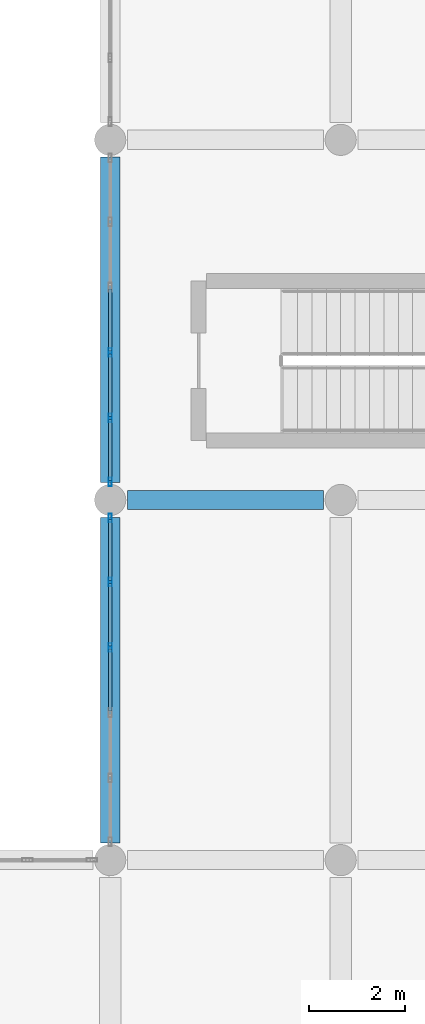
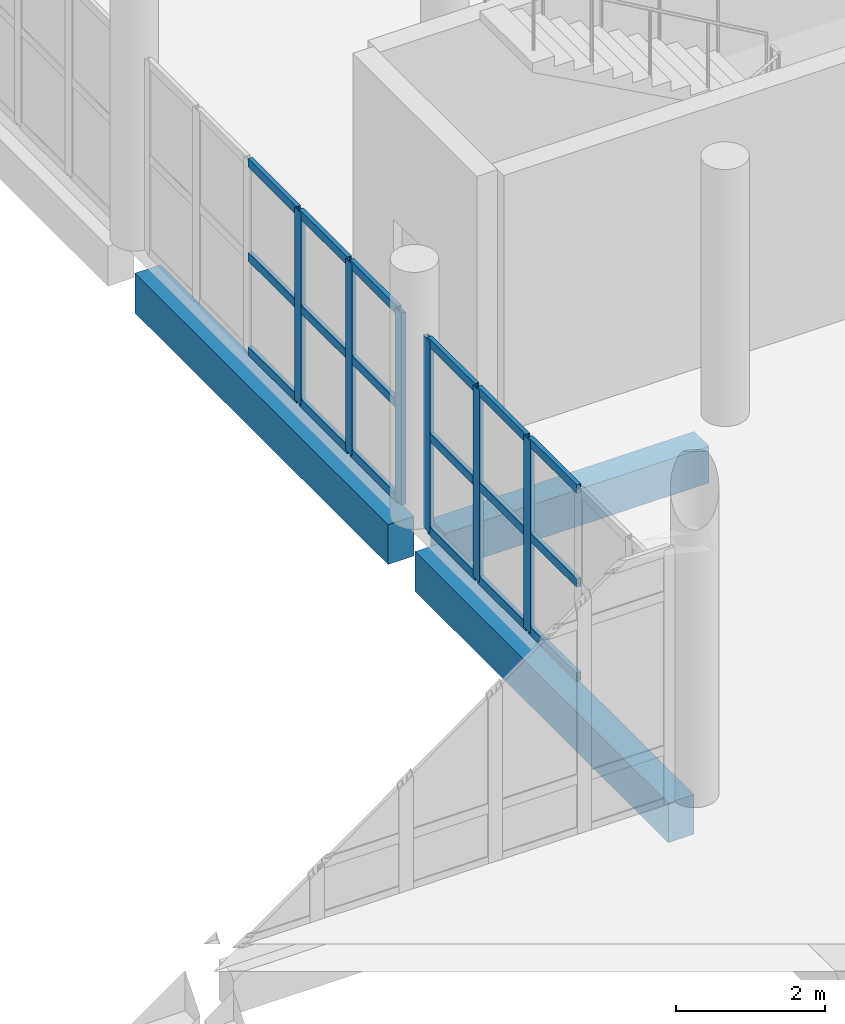
# One storey, part 52 of 164: 24 members, 3 beams, 2 elements without a shape of their own.
"""IFC4 building model written with IfcOpenShell, lengths in metres."""

from ifc_helpers import new_model, si_unit, direction, frame, origin, origin_2d, place, context, subcontext, project, spatial, rectangle, hollow_rectangle, extrude, material, layer, layer_set, material_profile, profile_set, type_object, element, aggregate, save


model = new_model("IFC4")

# Units and contexts
model_context = context("Model", 3, precision=1e-05, world=origin(), true_north=direction((0.0, 1.0)))
body_context = subcontext(model_context, "Body", "Model", "MODEL_VIEW")
ifc_project = project(units=[si_unit("LENGTHUNIT", "METRE"), si_unit("AREAUNIT", "SQUARE_METRE"), si_unit("VOLUMEUNIT", "CUBIC_METRE"), si_unit("PLANEANGLEUNIT", "RADIAN"), si_unit("MASSUNIT", "GRAM", prefix="KILO")], contexts=[model_context])

# Site, building, storey
site_placement = place(None, origin())
site = spatial("IfcSite", under=ifc_project, at=site_placement, CompositionType="ELEMENT")
building_placement = place(site_placement, origin())
building = spatial("IfcBuilding", under=site, at=building_placement, Name="Mawjan Specialist Oncology Clinic", CompositionType="ELEMENT")
storey_placement = place(building_placement, frame((0.0, 0.0, 5.0)))
storey = spatial("IfcBuildingStorey", under=building, at=storey_placement, Name="L01", CompositionType="ELEMENT", Elevation=5.0)

# Beam
ifc_material_1 = material(Name="Concrete C40/50", Category="concrete")
ifc_material_profile_1 = material_profile(ifc_material_1, rectangle(XDim=0.39990234375, YDim=0.60009765625, at=origin_2d()), Name="RC BM 400x600", Category="concrete")
ifc_profile_set_1 = profile_set([ifc_material_profile_1], Name="Concrete C40/50")
beam_type_1 = type_object("IfcBeamType", Name="BM-400x600", PredefinedType="BEAM", material=ifc_profile_set_1)
beam_placement = place(storey_placement, frame((60.360107421875, 60.800048828125, -0.60009765625), z_axis=(1.0, 0.0, 0.0), x_axis=(0.0, 1.0, 0.0)))
element("IfcBeam", 1, at=beam_placement, inside=storey, type_object=beam_type_1, Name="L01 Collector Beam BM-L01-0297", PredefinedType="BEAM", context=body_context, shape_type="SweptSolid", body=[
    extrude(rectangle(XDim=0.39990234375, YDim=0.60009765625, at=origin_2d()), origin(), (0.0, 0.0, 1.0), 4.079833984375),
])

# Curtain wall, members
ifc_material_2 = material(Name="Unitised spectrally selective aluminium curtain wall", Category="aluminium")
ifc_layer = layer(ifc_material_2, 0.179931640625, Name="Unitised spectrally selective aluminium curtain wall", Category="aluminium")
ifc_layer_set = layer_set([ifc_layer], Name="Unitised spectrally selective aluminium curtain wall")
curtain_wall_type = type_object("IfcCurtainWallType", Name="CW-55", PredefinedType="NOTDEFINED", material=ifc_layer_set)
curtain_wall_1_placement = place(storey_placement, origin())
curtain_wall_1 = element("IfcCurtainWall", 2, at=curtain_wall_1_placement, inside=storey, type_object=curtain_wall_type, Name="L01 Unitised Curtain Wall CW-L01-100", PredefinedType="NOTDEFINED")
ifc_material_3 = material(Name="Thermally broken aluminium 6063-T6", Category="aluminium")
ifc_material_profile_2 = material_profile(ifc_material_3, hollow_rectangle(XDim=0.06494140625, YDim=0.179931640625, WallThickness=0.00390625, at=origin_2d()), Name="ALU MULLION 180x65x4", Category="aluminium")
ifc_profile_set_2 = profile_set([ifc_material_profile_2], Name="Thermally broken aluminium 6063-T6")
member_type_1 = type_object("IfcMemberType", Name="CW-M180", PredefinedType="MULLION", material=ifc_profile_set_2)
member_1_placement = place(storey_placement, frame((60.0, 57.73095703125, 0.0), z_axis=(0.0, 0.0, 1.0), x_axis=(-1.0, 0.0, 0.0)))
member_1 = element("IfcMember", 3, at=member_1_placement, type_object=member_type_1, Name="CW-55 mullion 4", PredefinedType="MULLION", context=body_context, shape_type="SweptSolid", body=[
    extrude(hollow_rectangle(XDim=0.06494140625, YDim=0.179931640625, WallThickness=0.00390625, at=origin_2d()), origin(), (0.0, 0.0, 1.0), 3.139892578125),
])
member_2_placement = place(storey_placement, frame((60.0, 59.093017578125, 0.0), z_axis=(0.0, 0.0, 1.0), x_axis=(-1.0, 0.0, 0.0)))
member_2 = element("IfcMember", 4, at=member_2_placement, type_object=member_type_1, Name="CW-55 mullion 5", PredefinedType="MULLION", context=body_context, shape_type="SweptSolid", body=[
    extrude(hollow_rectangle(XDim=0.06494140625, YDim=0.179931640625, WallThickness=0.00390625, at=origin_2d()), origin(), (0.0, 0.0, 1.0), 3.139892578125),
])
member_3_placement = place(storey_placement, frame((60.0, 60.422607421875, 0.0), z_axis=(0.0, 0.0, 1.0), x_axis=(-1.0, 0.0, 0.0)))
member_3 = element("IfcMember", 5, at=member_3_placement, type_object=member_type_1, Name="CW-55 mullion 6", PredefinedType="MULLION", context=body_context, shape_type="SweptSolid", body=[
    extrude(hollow_rectangle(XDim=0.06494140625, YDim=0.179931640625, WallThickness=0.00390625, at=origin_2d()), origin(), (0.0, 0.0, 1.0), 3.139892578125),
])

curtain_wall_2_placement = place(storey_placement, origin())
curtain_wall_2 = element("IfcCurtainWall", 6, at=curtain_wall_2_placement, inside=storey, type_object=curtain_wall_type, Name="L01 Unitised Curtain Wall CW-L01-101", PredefinedType="NOTDEFINED")
member_4_placement = place(storey_placement, frame((60.0, 61.177490234375, 0.0), z_axis=(0.0, 0.0, 1.0), x_axis=(-1.0, 0.0, 0.0)))
member_4 = element("IfcMember", 7, at=member_4_placement, type_object=member_type_1, Name="CW-55 mullion 1", PredefinedType="MULLION", context=body_context, shape_type="SweptSolid", body=[
    extrude(hollow_rectangle(XDim=0.06494140625, YDim=0.179931640625, WallThickness=0.00390625, at=origin_2d()), origin(), (0.0, 0.0, 1.0), 3.139892578125),
])
member_5_placement = place(storey_placement, frame((60.0, 62.507080078125, 0.0), z_axis=(0.0, 0.0, 1.0), x_axis=(-1.0, 0.0, 0.0)))
member_5 = element("IfcMember", 8, at=member_5_placement, type_object=member_type_1, Name="CW-55 mullion 2", PredefinedType="MULLION", context=body_context, shape_type="SweptSolid", body=[
    extrude(hollow_rectangle(XDim=0.06494140625, YDim=0.179931640625, WallThickness=0.00390625, at=origin_2d()), origin(), (0.0, 0.0, 1.0), 3.139892578125),
])
member_6_placement = place(storey_placement, frame((60.0, 63.868896484375, 0.0), z_axis=(0.0, 0.0, 1.0), x_axis=(-1.0, 0.0, 0.0)))
member_6 = element("IfcMember", 9, at=member_6_placement, type_object=member_type_1, Name="CW-55 mullion 3", PredefinedType="MULLION", context=body_context, shape_type="SweptSolid", body=[
    extrude(hollow_rectangle(XDim=0.06494140625, YDim=0.179931640625, WallThickness=0.00390625, at=origin_2d()), origin(), (0.0, 0.0, 1.0), 3.139892578125),
])

# Member
ifc_material_4 = material(Name="Thermally broken aluminium 6063-T6", Category="aluminium")
ifc_material_profile_3 = material_profile(ifc_material_4, hollow_rectangle(XDim=0.06494140625, YDim=0.139892578125, WallThickness=0.00390625, at=origin_2d()), Name="ALU TRANSOM 140x65x4", Category="aluminium")
ifc_profile_set_3 = profile_set([ifc_material_profile_3], Name="Thermally broken aluminium 6063-T6")
member_type_2 = type_object("IfcMemberType", Name="CW-T140", PredefinedType="USERDEFINED", material=ifc_profile_set_3)
member_7_placement = place(storey_placement, frame((60.0, 56.401611328125, 0.032470703125), z_axis=(0.0, 1.0, 0.0), x_axis=(-1.0, 0.0, 0.0)))
member_7 = element("IfcMember", 10, at=member_7_placement, type_object=member_type_2, Name="CW-55 transom 3.1", ObjectType="TRANSOM", PredefinedType="USERDEFINED", context=body_context, shape_type="SweptSolid", body=[
    extrude(hollow_rectangle(XDim=0.06494140625, YDim=0.139892578125, WallThickness=0.00390625, at=origin_2d()), origin(), (0.0, 0.0, 1.0), 1.296875),
])

member_8_placement = place(storey_placement, frame((60.0, 56.401611328125, 1.570068359375), z_axis=(0.0, 1.0, 0.0), x_axis=(-1.0, 0.0, 0.0)))
member_8 = element("IfcMember", 11, at=member_8_placement, type_object=member_type_2, Name="CW-55 transom 3.2", ObjectType="TRANSOM", PredefinedType="USERDEFINED", context=body_context, shape_type="SweptSolid", body=[
    extrude(hollow_rectangle(XDim=0.06494140625, YDim=0.139892578125, WallThickness=0.00390625, at=origin_2d()), origin(), (0.0, 0.0, 1.0), 1.296875),
])

member_9_placement = place(storey_placement, frame((60.0, 56.401611328125, 3.107421875), z_axis=(0.0, 1.0, 0.0), x_axis=(-1.0, 0.0, 0.0)))
member_9 = element("IfcMember", 12, at=member_9_placement, type_object=member_type_2, Name="CW-55 transom 3.3", ObjectType="TRANSOM", PredefinedType="USERDEFINED", context=body_context, shape_type="SweptSolid", body=[
    extrude(hollow_rectangle(XDim=0.06494140625, YDim=0.139892578125, WallThickness=0.00390625, at=origin_2d()), origin(), (0.0, 0.0, 1.0), 1.296875),
])

member_10_placement = place(storey_placement, frame((60.0, 57.763427734375, 0.032470703125), z_axis=(0.0, 1.0, 0.0), x_axis=(-1.0, 0.0, 0.0)))
member_10 = element("IfcMember", 13, at=member_10_placement, type_object=member_type_2, Name="CW-55 transom 4.1", ObjectType="TRANSOM", PredefinedType="USERDEFINED", context=body_context, shape_type="SweptSolid", body=[
    extrude(hollow_rectangle(XDim=0.06494140625, YDim=0.139892578125, WallThickness=0.00390625, at=origin_2d()), origin(), (0.0, 0.0, 1.0), 1.297119140625),
])

member_11_placement = place(storey_placement, frame((60.0, 57.763427734375, 1.570068359375), z_axis=(0.0, 1.0, 0.0), x_axis=(-1.0, 0.0, 0.0)))
member_11 = element("IfcMember", 14, at=member_11_placement, type_object=member_type_2, Name="CW-55 transom 4.2", ObjectType="TRANSOM", PredefinedType="USERDEFINED", context=body_context, shape_type="SweptSolid", body=[
    extrude(hollow_rectangle(XDim=0.06494140625, YDim=0.139892578125, WallThickness=0.00390625, at=origin_2d()), origin(), (0.0, 0.0, 1.0), 1.297119140625),
])

member_12_placement = place(storey_placement, frame((60.0, 57.763427734375, 3.107421875), z_axis=(0.0, 1.0, 0.0), x_axis=(-1.0, 0.0, 0.0)))
member_12 = element("IfcMember", 15, at=member_12_placement, type_object=member_type_2, Name="CW-55 transom 4.3", ObjectType="TRANSOM", PredefinedType="USERDEFINED", context=body_context, shape_type="SweptSolid", body=[
    extrude(hollow_rectangle(XDim=0.06494140625, YDim=0.139892578125, WallThickness=0.00390625, at=origin_2d()), origin(), (0.0, 0.0, 1.0), 1.297119140625),
])

member_13_placement = place(storey_placement, frame((60.0, 59.12548828125, 0.032470703125), z_axis=(0.0, 1.0, 0.0), x_axis=(-1.0, 0.0, 0.0)))
member_13 = element("IfcMember", 16, at=member_13_placement, type_object=member_type_2, Name="CW-55 transom 5.1", ObjectType="TRANSOM", PredefinedType="USERDEFINED", context=body_context, shape_type="SweptSolid", body=[
    extrude(hollow_rectangle(XDim=0.06494140625, YDim=0.139892578125, WallThickness=0.00390625, at=origin_2d()), origin(), (0.0, 0.0, 1.0), 1.264404296875),
])

member_14_placement = place(storey_placement, frame((60.0, 59.12548828125, 1.570068359375), z_axis=(0.0, 1.0, 0.0), x_axis=(-1.0, 0.0, 0.0)))
member_14 = element("IfcMember", 17, at=member_14_placement, type_object=member_type_2, Name="CW-55 transom 5.2", ObjectType="TRANSOM", PredefinedType="USERDEFINED", context=body_context, shape_type="SweptSolid", body=[
    extrude(hollow_rectangle(XDim=0.06494140625, YDim=0.139892578125, WallThickness=0.00390625, at=origin_2d()), origin(), (0.0, 0.0, 1.0), 1.264404296875),
])

member_15_placement = place(storey_placement, frame((60.0, 59.12548828125, 3.107421875), z_axis=(0.0, 1.0, 0.0), x_axis=(-1.0, 0.0, 0.0)))
member_15 = element("IfcMember", 18, at=member_15_placement, type_object=member_type_2, Name="CW-55 transom 5.3", ObjectType="TRANSOM", PredefinedType="USERDEFINED", context=body_context, shape_type="SweptSolid", body=[
    extrude(hollow_rectangle(XDim=0.06494140625, YDim=0.139892578125, WallThickness=0.00390625, at=origin_2d()), origin(), (0.0, 0.0, 1.0), 1.264404296875),
])

aggregate(curtain_wall_1, [member_1, member_2, member_3, member_7, member_8, member_9, member_10, member_11, member_12, member_13, member_14, member_15])

member_16_placement = place(storey_placement, frame((60.0, 61.2099609375, 0.032470703125), z_axis=(0.0, 1.0, 0.0), x_axis=(-1.0, 0.0, 0.0)))
member_16 = element("IfcMember", 19, at=member_16_placement, type_object=member_type_2, Name="CW-55 transom 1.1", ObjectType="TRANSOM", PredefinedType="USERDEFINED", context=body_context, shape_type="SweptSolid", body=[
    extrude(hollow_rectangle(XDim=0.06494140625, YDim=0.139892578125, WallThickness=0.00390625, at=origin_2d()), origin(), (0.0, 0.0, 1.0), 1.2646484375),
])

member_17_placement = place(storey_placement, frame((60.0, 61.2099609375, 1.570068359375), z_axis=(0.0, 1.0, 0.0), x_axis=(-1.0, 0.0, 0.0)))
member_17 = element("IfcMember", 20, at=member_17_placement, type_object=member_type_2, Name="CW-55 transom 1.2", ObjectType="TRANSOM", PredefinedType="USERDEFINED", context=body_context, shape_type="SweptSolid", body=[
    extrude(hollow_rectangle(XDim=0.06494140625, YDim=0.139892578125, WallThickness=0.00390625, at=origin_2d()), origin(), (0.0, 0.0, 1.0), 1.2646484375),
])

member_18_placement = place(storey_placement, frame((60.0, 61.2099609375, 3.107421875), z_axis=(0.0, 1.0, 0.0), x_axis=(-1.0, 0.0, 0.0)))
member_18 = element("IfcMember", 21, at=member_18_placement, type_object=member_type_2, Name="CW-55 transom 1.3", ObjectType="TRANSOM", PredefinedType="USERDEFINED", context=body_context, shape_type="SweptSolid", body=[
    extrude(hollow_rectangle(XDim=0.06494140625, YDim=0.139892578125, WallThickness=0.00390625, at=origin_2d()), origin(), (0.0, 0.0, 1.0), 1.2646484375),
])

member_19_placement = place(storey_placement, frame((60.0, 62.53955078125, 0.032470703125), z_axis=(0.0, 1.0, 0.0), x_axis=(-1.0, 0.0, 0.0)))
member_19 = element("IfcMember", 22, at=member_19_placement, type_object=member_type_2, Name="CW-55 transom 2.1", ObjectType="TRANSOM", PredefinedType="USERDEFINED", context=body_context, shape_type="SweptSolid", body=[
    extrude(hollow_rectangle(XDim=0.06494140625, YDim=0.139892578125, WallThickness=0.00390625, at=origin_2d()), origin(), (0.0, 0.0, 1.0), 1.296875),
])

member_20_placement = place(storey_placement, frame((60.0, 62.53955078125, 1.570068359375), z_axis=(0.0, 1.0, 0.0), x_axis=(-1.0, 0.0, 0.0)))
member_20 = element("IfcMember", 23, at=member_20_placement, type_object=member_type_2, Name="CW-55 transom 2.2", ObjectType="TRANSOM", PredefinedType="USERDEFINED", context=body_context, shape_type="SweptSolid", body=[
    extrude(hollow_rectangle(XDim=0.06494140625, YDim=0.139892578125, WallThickness=0.00390625, at=origin_2d()), origin(), (0.0, 0.0, 1.0), 1.296875),
])

member_21_placement = place(storey_placement, frame((60.0, 62.53955078125, 3.107421875), z_axis=(0.0, 1.0, 0.0), x_axis=(-1.0, 0.0, 0.0)))
member_21 = element("IfcMember", 24, at=member_21_placement, type_object=member_type_2, Name="CW-55 transom 2.3", ObjectType="TRANSOM", PredefinedType="USERDEFINED", context=body_context, shape_type="SweptSolid", body=[
    extrude(hollow_rectangle(XDim=0.06494140625, YDim=0.139892578125, WallThickness=0.00390625, at=origin_2d()), origin(), (0.0, 0.0, 1.0), 1.296875),
])

member_22_placement = place(storey_placement, frame((60.0, 63.901611328125, 0.032470703125), z_axis=(0.0, 1.0, 0.0), x_axis=(-1.0, 0.0, 0.0)))
member_22 = element("IfcMember", 25, at=member_22_placement, type_object=member_type_2, Name="CW-55 transom 3.1", ObjectType="TRANSOM", PredefinedType="USERDEFINED", context=body_context, shape_type="SweptSolid", body=[
    extrude(hollow_rectangle(XDim=0.06494140625, YDim=0.139892578125, WallThickness=0.00390625, at=origin_2d()), origin(), (0.0, 0.0, 1.0), 1.296875),
])

member_23_placement = place(storey_placement, frame((60.0, 63.901611328125, 1.570068359375), z_axis=(0.0, 1.0, 0.0), x_axis=(-1.0, 0.0, 0.0)))
member_23 = element("IfcMember", 26, at=member_23_placement, type_object=member_type_2, Name="CW-55 transom 3.2", ObjectType="TRANSOM", PredefinedType="USERDEFINED", context=body_context, shape_type="SweptSolid", body=[
    extrude(hollow_rectangle(XDim=0.06494140625, YDim=0.139892578125, WallThickness=0.00390625, at=origin_2d()), origin(), (0.0, 0.0, 1.0), 1.296875),
])

member_24_placement = place(storey_placement, frame((60.0, 63.901611328125, 3.107421875), z_axis=(0.0, 1.0, 0.0), x_axis=(-1.0, 0.0, 0.0)))
member_24 = element("IfcMember", 27, at=member_24_placement, type_object=member_type_2, Name="CW-55 transom 3.3", ObjectType="TRANSOM", PredefinedType="USERDEFINED", context=body_context, shape_type="SweptSolid", body=[
    extrude(hollow_rectangle(XDim=0.06494140625, YDim=0.139892578125, WallThickness=0.00390625, at=origin_2d()), origin(), (0.0, 0.0, 1.0), 1.296875),
])

aggregate(curtain_wall_2, [member_4, member_5, member_6, member_16, member_17, member_18, member_19, member_20, member_21, member_22, member_23, member_24])

# Beams
ifc_material_5 = material(Name="Concrete C45/55", Category="concrete")
ifc_material_profile_4 = material_profile(ifc_material_5, rectangle(XDim=0.39990234375, YDim=0.64990234375, at=origin_2d()), Name="RC BM 400x650", Category="concrete")
ifc_profile_set_4 = profile_set([ifc_material_profile_4], Name="Concrete C45/55")
beam_type_2 = type_object("IfcBeamType", Name="SP-400x650", PredefinedType="SPANDREL", material=ifc_profile_set_4)
for number, where, z_axis, x_axis, name in (
    (28, (60.0, 53.659912109375, -0.625), (0.0, 1.0, 0.0), (-1.0, 0.0, 0.0), "L01 Spandrel Beam BM-L01-0489"),
    (29, (60.0, 61.159912109375, -0.625), (0.0, 1.0, 0.0), (-1.0, 0.0, 0.0), "L01 Spandrel Beam BM-L01-0490"),
):
    element("IfcBeam", number, at=place(storey_placement, frame(where, z_axis=z_axis, x_axis=x_axis)), inside=storey, type_object=beam_type_2, Name=name, PredefinedType="SPANDREL", context=body_context, shape_type="SweptSolid", body=[
        extrude(rectangle(XDim=0.39990234375, YDim=0.64990234375, at=origin_2d()), origin(), (0.0, 0.0, 1.0), 6.780029296875),
    ])

save(model, "model.ifc")
